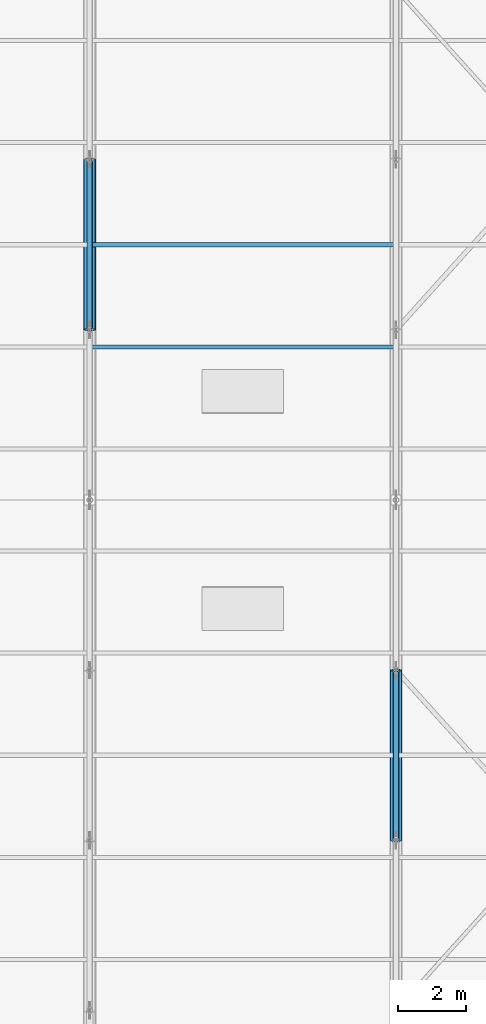
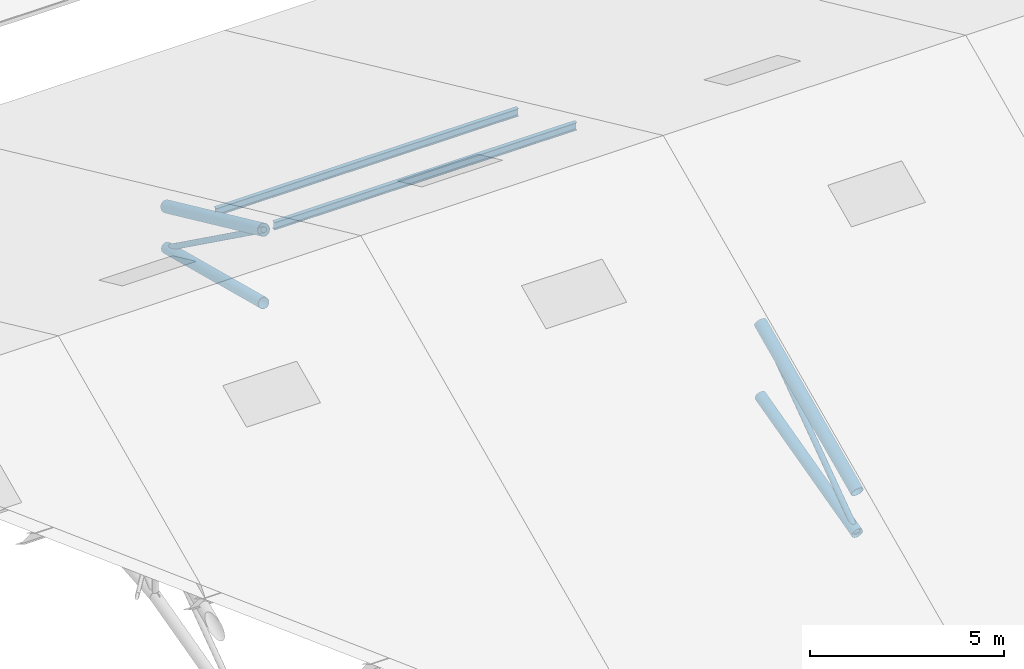
# One storey, part 19 of 107: 8 members.
"""IFC4 building model written with IfcOpenShell, lengths in metres."""

from ifc_helpers import new_model, si_unit, derived_unit, direction, frame, origin, origin_2d, place, context, subcontext, project, spatial, hollow_circle, i_section, extrude, material, material_profile, profile_set, type_object, element, save


model = new_model("IFC4")

# Units and contexts
model_context = context("Model", 3, precision=1e-05, world=origin(), true_north=direction((0.0, 1.0)))
body_context = subcontext(model_context, "Body", "Model", "MODEL_VIEW")
ifc_project = project(units=[si_unit("LENGTHUNIT", "METRE"), si_unit("AREAUNIT", "SQUARE_METRE"), si_unit("VOLUMEUNIT", "CUBIC_METRE"), si_unit("PLANEANGLEUNIT", "RADIAN"), si_unit("MASSUNIT", "GRAM", prefix="KILO"), si_unit("THERMODYNAMICTEMPERATUREUNIT", "KELVIN"), si_unit("TIMEUNIT", "SECOND"), derived_unit("THERMALTRANSMITTANCEUNIT", [(si_unit("MASSUNIT", "GRAM", prefix="KILO"), 1), (si_unit("THERMODYNAMICTEMPERATUREUNIT", "KELVIN"), -1), (si_unit("TIMEUNIT", "SECOND"), -3)])], contexts=[model_context])

# Site, building, storey
site_placement = place(None, origin())
site = spatial("IfcSite", under=ifc_project, at=site_placement, CompositionType="ELEMENT")
building_placement = place(site_placement, origin())
building = spatial("IfcBuilding", under=site, at=building_placement, Name="Cambertide Market Hall", CompositionType="ELEMENT")
storey_placement = place(building_placement, frame((0.0, 0.0, 18.300048828125)))
storey = spatial("IfcBuildingStorey", under=building, at=storey_placement, Name="RF", CompositionType="ELEMENT", Elevation=18.300048828125)

# Members
ifc_material_1 = material(Name="Steel S355", Category="steel")
ifc_material_profile_1 = material_profile(ifc_material_1, hollow_circle(Radius=0.161865234375, WallThickness=0.010009765625, at=origin_2d()), Name="CHS 323.9x10")
ifc_profile_set_1 = profile_set([ifc_material_profile_1], Name="Steel S355")
member_type_1 = type_object("IfcMemberType", Name="Arched Truss Chord CHS 323.9x10", PredefinedType="CHORD", material=ifc_profile_set_1)
for number, where, z_axis, x_axis, name in (
    (1, (60.0, 77.0, -4.955322265625), (0.0, 0.968015607618, -0.250889982678), (-1.0, 0.0, 0.0), "Roof Truss 3 Arched Bottom Chord 6"),
    (2, (69.0, 62.0, -6.251220703125), (0.0, 0.968015607618, 0.250889982678), (-1.0, 0.0, 0.0), "Roof Truss 4 Arched Bottom Chord 3"),
):
    element("IfcMember", number, at=place(storey_placement, frame(where, z_axis=z_axis, x_axis=x_axis)), inside=storey, type_object=member_type_1, Name=name, PredefinedType="CHORD", context=body_context, shape_type="SweptSolid", body=[
        extrude(hollow_circle(Radius=0.161865234375, WallThickness=0.010009765625, at=origin_2d()), origin(), (0.0, 0.0, 1.0), 5.165283203125),
    ])
ifc_material_2 = material(Name="Steel S355", Category="steel")
ifc_material_profile_2 = material_profile(ifc_material_2, hollow_circle(Radius=0.177734375, WallThickness=0.012451171875, at=origin_2d()), Name="CHS 355.6x12.5")
ifc_profile_set_2 = profile_set([ifc_material_profile_2], Name="Steel S355")
member_type_2 = type_object("IfcMemberType", Name="Arched Truss Chord CHS 355.6x12.5", PredefinedType="CHORD", material=ifc_profile_set_2)
for number, where, z_axis, x_axis, name in (
    (3, (60.0, 77.0, -2.650146484375), (0.0, 0.908503925861, -0.417876317461), (-1.0, 0.0, 0.0), "Roof Truss 3 Top Chord 6"),
    (4, (69.0, 62.0, -4.949951171875), (0.0, 0.908503925861, 0.417876317461), (-1.0, 0.0, 0.0), "Roof Truss 4 Top Chord 3"),
):
    element("IfcMember", number, at=place(storey_placement, frame(where, z_axis=z_axis, x_axis=x_axis)), inside=storey, type_object=member_type_2, Name=name, PredefinedType="CHORD", context=body_context, shape_type="SweptSolid", body=[
        extrude(hollow_circle(Radius=0.177734375, WallThickness=0.012451171875, at=origin_2d()), origin(), (0.0, 0.0, 1.0), 5.503662109375),
    ])
ifc_material_3 = material(Name="Steel S275", Category="steel")
ifc_material_profile_3 = material_profile(ifc_material_3, i_section(OverallWidth=0.1201171875, OverallDepth=0.239990234375, WebThickness=0.006103515625, FlangeThickness=0.009765625, FilletRadius=0.014892578125, at=origin_2d()), Name="IPE 240")
ifc_profile_set_3 = profile_set([ifc_material_profile_3], Name="Steel S275")
member_type_3 = type_object("IfcMemberType", Name="Roof Purlin IPE 240", PredefinedType="PURLIN", material=ifc_profile_set_3)
for number, where, z_axis, x_axis, name in (
    (5, (60.0, 76.5, -2.2099609375), (1.0, 0.0, 0.0), (0.0, 1.0, 0.0), "Barrel Roof Purlin 3-10"),
    (6, (60.0, 79.5, -3.590087890625), (1.0, 0.0, 0.0), (0.0, 1.0, 0.0), "Barrel Roof Purlin 3-11"),
):
    element("IfcMember", number, at=place(storey_placement, frame(where, z_axis=z_axis, x_axis=x_axis)), inside=storey, type_object=member_type_3, Name=name, PredefinedType="PURLIN", context=body_context, shape_type="SweptSolid", body=[
        extrude(i_section(OverallWidth=0.1201171875, OverallDepth=0.239990234375, WebThickness=0.006103515625, FlangeThickness=0.009765625, FilletRadius=0.014892578125, at=origin_2d()), origin(), (0.0, 0.0, 1.0), 9.0),
    ])
ifc_material_4 = material(Name="Steel S355", Category="steel")
ifc_material_profile_4 = material_profile(ifc_material_4, hollow_circle(Radius=0.084228515625, WallThickness=0.00634765625, at=origin_2d()), Name="CHS 168.3x6.3")
ifc_profile_set_4 = profile_set([ifc_material_profile_4], Name="Steel S355")
member_type_4 = type_object("IfcMemberType", Name="Structural Brace CHS 168.3x6.3", PredefinedType="BRACE", material=ifc_profile_set_4)
for number, where, z_axis, x_axis, name in (
    (7, (60.0, 77.0, -2.650146484375), (0.0, 0.811451666424, -0.584419535144), (-1.0, 0.0, 0.0), "Roof Truss 3 Web Diagonal 6"),
    (8, (69.0, 62.0, -6.251220703125), (0.0, 0.811451666424, 0.584419535144), (-1.0, 0.0, 0.0), "Roof Truss 4 Web Diagonal 3"),
):
    element("IfcMember", number, at=place(storey_placement, frame(where, z_axis=z_axis, x_axis=x_axis)), inside=storey, type_object=member_type_4, Name=name, PredefinedType="BRACE", context=body_context, shape_type="SweptSolid", body=[
        extrude(hollow_circle(Radius=0.084228515625, WallThickness=0.00634765625, at=origin_2d()), origin(), (0.0, 0.0, 1.0), 6.161865234375),
    ])

save(model, "model.ifc")
